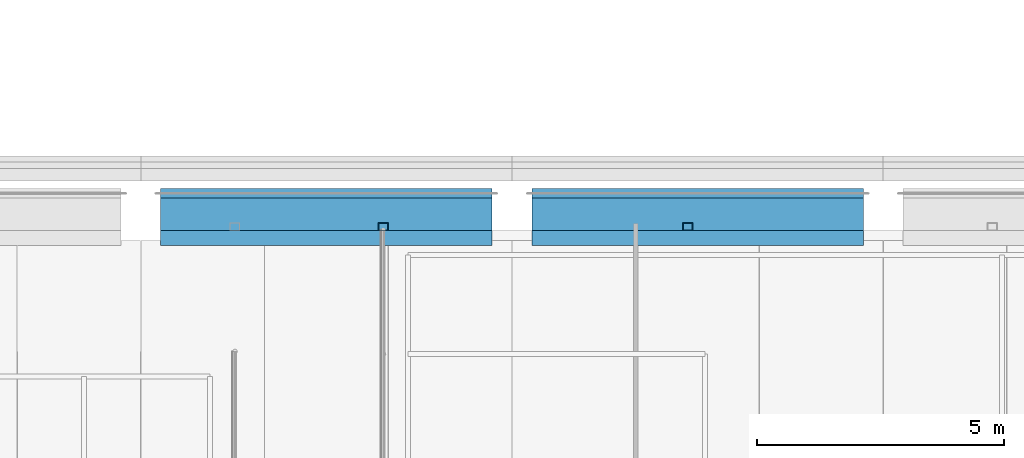
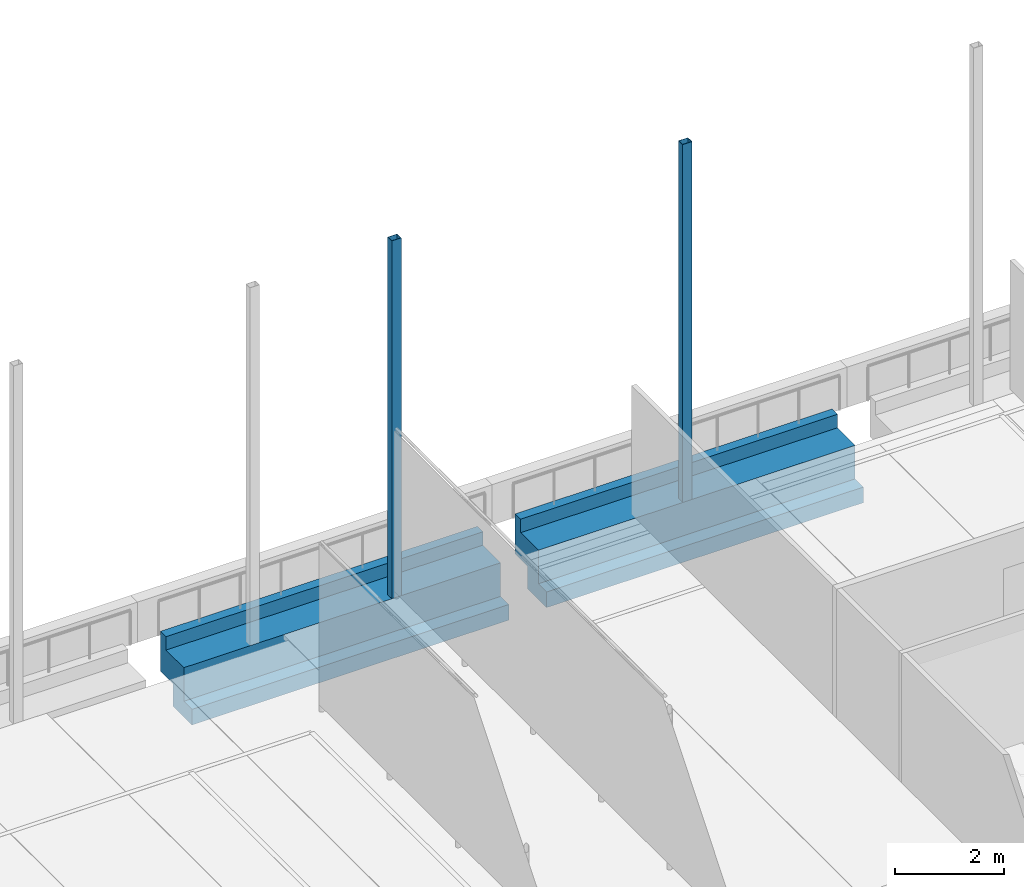
# One storey, part 17 of 62: 2 beams, 2 members.
"""IFC4 building model written with IfcOpenShell, lengths in metres."""

from ifc_helpers import new_model, si_unit, direction, frame, origin, origin_2d, place, context, subcontext, project, spatial, polyline, hollow_rectangle, outline, extrude, material, material_profile, profile_set, type_object, element, save


model = new_model("IFC4")

# Units and contexts
model_context = context("Model", 3, precision=1e-05, world=origin(), true_north=direction((0.0, 1.0)))
body_context = subcontext(model_context, "Body", "Model", "MODEL_VIEW")
ifc_project = project(units=[si_unit("LENGTHUNIT", "METRE"), si_unit("AREAUNIT", "SQUARE_METRE"), si_unit("VOLUMEUNIT", "CUBIC_METRE"), si_unit("PLANEANGLEUNIT", "RADIAN"), si_unit("MASSUNIT", "GRAM", prefix="KILO")], contexts=[model_context])

# Site, building, storey
site_placement = place(None, origin())
site = spatial("IfcSite", under=ifc_project, at=site_placement, CompositionType="ELEMENT")
building_placement = place(site_placement, origin())
building = spatial("IfcBuilding", under=site, at=building_placement, Name="Cour d'Honneur Mobility Palace", CompositionType="ELEMENT")
storey_placement = place(building_placement, frame((0.0, 0.0, 19.300048828125)))
storey = spatial("IfcBuildingStorey", under=building, at=storey_placement, Name="L05", CompositionType="ELEMENT", Elevation=19.300048828125)

# Beams
ifc_material_1 = material(Name="Concrete C45", Category="concrete")
ifc_material_profile_1 = material_profile(ifc_material_1, outline(polyline([(0.199951171875, -1.10009765625), (0.199951171875, -0.60009765625), (0.64990234375, -0.60009765625), (0.64990234375, 0.300048828125), (0.449951171875, 0.300048828125), (0.449951171875, 0.0), (0.199951171875, 0.0), (-0.199951171875, 0.0), (-0.199951171875, -0.75), (-0.5, -0.75), (-0.5, -1.10009765625), (0.199951171875, -1.10009765625)])), Name="Ledger Beam 400x1100 ledge right 350 facade left")
ifc_profile_set_1 = profile_set([ifc_material_profile_1], Name="Concrete C45")
beam_type = type_object("IfcBeamType", Name="Ledger Beam 400x1100 ledge right 350 facade left", PredefinedType="BEAM", material=ifc_profile_set_1)
for number, where, z_axis, x_axis, name in (
    (1, (115.300048828125, 62.39990234375, 0.0), (1.0, 0.0, 0.0), (0.0, 1.0, 0.0), "Precast beam B4 15-16 L05"),
    (2, (122.800048828125, 62.39990234375, 0.0), (1.0, 0.0, 0.0), (0.0, 1.0, 0.0), "Precast beam B4 16-17 L05"),
):
    element("IfcBeam", number, at=place(storey_placement, frame(where, z_axis=z_axis, x_axis=x_axis)), inside=storey, type_object=beam_type, Name=name, PredefinedType="BEAM", context=body_context, shape_type="SweptSolid", body=[
        extrude(outline(polyline([(0.199951171875, -1.10009765625), (0.199951171875, -0.60009765625), (0.64990234375, -0.60009765625), (0.64990234375, 0.300048828125), (0.449951171875, 0.300048828125), (0.449951171875, 0.0), (0.199951171875, 0.0), (-0.199951171875, 0.0), (-0.199951171875, -0.75), (-0.5, -0.75), (-0.5, -1.10009765625), (0.199951171875, -1.10009765625)])), origin(), (0.0, 0.0, 1.0), 6.699951171875),
    ])

# Members
ifc_material_2 = material(Name="Steel S355", Category="steel")
ifc_material_profile_2 = material_profile(ifc_material_2, hollow_rectangle(XDim=0.14990234375, YDim=0.199951171875, WallThickness=0.008056640625, at=origin_2d()), Name="RHS 200x150x8")
ifc_profile_set_2 = profile_set([ifc_material_profile_2], Name="Steel S355")
member_type = type_object("IfcMemberType", Name="Pergola post RHS 200x150x8", PredefinedType="POST", material=ifc_profile_set_2)
for number, where, z_axis, x_axis, name in (
    (3, (119.800048828125, 62.27490234375, 0.0), (0.0, 0.0, 1.0), (0.0, 1.0, 0.0), "Pergola post FE-N1"),
    (4, (125.949951171875, 62.27490234375, 0.0), (0.0, 0.0, 1.0), (0.0, 1.0, 0.0), "Pergola post FE-N2"),
):
    element("IfcMember", number, at=place(storey_placement, frame(where, z_axis=z_axis, x_axis=x_axis)), inside=storey, type_object=member_type, Name=name, PredefinedType="POST", context=body_context, shape_type="SweptSolid", body=[
        extrude(hollow_rectangle(XDim=0.14990234375, YDim=0.199951171875, WallThickness=0.008056640625, at=origin_2d()), origin(), (0.0, 0.0, 1.0), 8.0),
    ])

save(model, "model.ifc")
